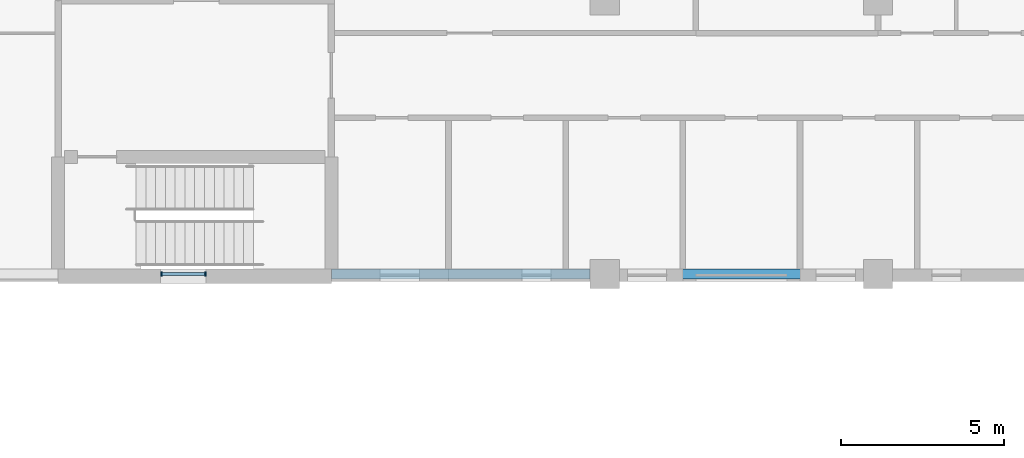
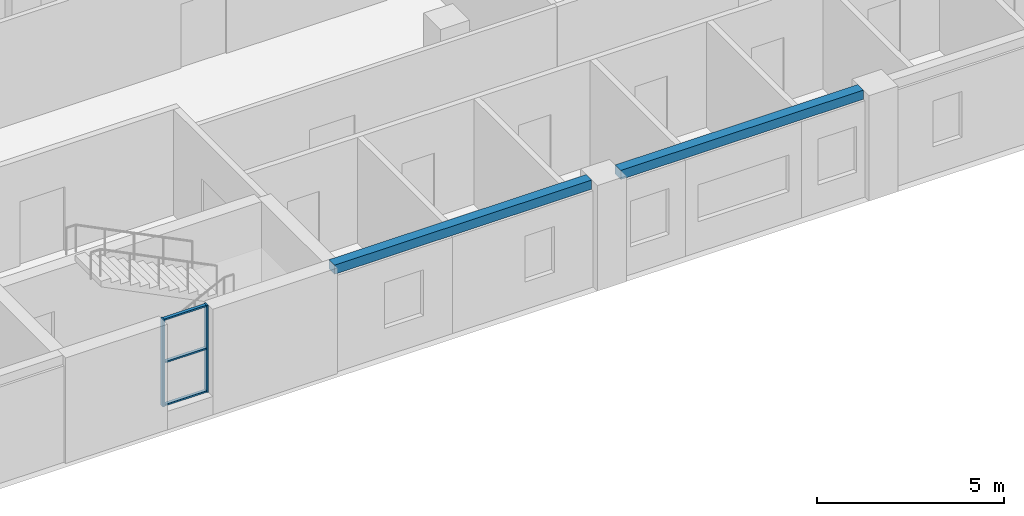
# One storey, part 16 of 94: 5 members, 2 beams, 1 element without a shape of its own.
"""IFC4 building model written with IfcOpenShell, lengths in metres."""

import ifcopenshell
import ifcopenshell.guid

model = None  # the IFC model being written
_history = None  # IfcOwnerHistory: only IFC2X3 demands one
_inside = {}  # id of a spatial element -> (the spatial element, [elements in it])
_under = {}  # id of a project, library or spatial element -> (it, [spatial elements below it])
_declared = {}  # id of a project -> (the project, [libraries it declares])
_typed = {}  # id of a type object -> (the type object, [elements of that type])
_made_of = {}  # id of a material, layer set ... -> (it, [elements and type objects made of it])


def new_model(schema):
    """Start an empty IFC model of exactly this schema.

    Asked for "IFC4X3", IfcOpenShell would pick the latest addendum, in which some entities
    have other attributes; the version numbers below select the first issue.
    IFC2X3 requires an IfcOwnerHistory on every rooted entity: one is made here for all.
    """
    global model, _history
    if schema == "IFC4X3":
        model = ifcopenshell.file(schema_version=(4, 3, 0, 0))
    else:
        model = ifcopenshell.file(schema=schema)
    _inside.clear()
    _under.clear()
    _declared.clear()
    _typed.clear()
    _made_of.clear()
    _history = None
    if model.schema == "IFC2X3":
        org = make("IfcOrganization", Name="unknown")
        user = make(
            "IfcPersonAndOrganization",
            ThePerson=make("IfcPerson", FamilyName="unknown"),
            TheOrganization=org,
        )
        app = make(
            "IfcApplication",
            ApplicationDeveloper=org,
            Version="unknown",
            ApplicationFullName="unknown",
            ApplicationIdentifier="unknown",
        )
        _history = make(
            "IfcOwnerHistory",
            OwningUser=user,
            OwningApplication=app,
            ChangeAction="ADDED",
            CreationDate=0,
        )
    return model


def make(cls, **values):
    """One entity of the class cls with the attributes given. An attribute that is None is left unset."""
    return model.create_entity(
        cls, **{name: value for name, value in values.items() if value is not None}
    )


def rooted(cls, **values):
    """An entity with a GlobalId (a new one), such as an element, a storey or a relation."""
    return make(cls, GlobalId=ifcopenshell.guid.new(), OwnerHistory=_history, **values)


def si_unit(unit_type, name, prefix=None):
    """IfcSIUnit, for example si_unit("LENGTHUNIT", "METRE", prefix="MILLI")."""
    return make("IfcSIUnit", UnitType=unit_type, Prefix=prefix, Name=name)


def assignment(units):
    """IfcUnitAssignment: the units of a project."""
    return None if units is None else make("IfcUnitAssignment", Units=units)


def point(xyz):
    """IfcCartesianPoint."""
    return None if xyz is None else make("IfcCartesianPoint", Coordinates=xyz)


def direction(xyz):
    """IfcDirection."""
    return None if xyz is None else make("IfcDirection", DirectionRatios=xyz)


def frame(location, z_axis=None, x_axis=None):
    """IfcAxis2Placement3D, a coordinate frame: its origin and axes. An axis left out is left unset."""
    return make(
        "IfcAxis2Placement3D",
        Location=point(location),
        Axis=direction(z_axis),
        RefDirection=direction(x_axis),
    )


def frame_2d(location, x_axis=None):
    """IfcAxis2Placement2D, a coordinate frame in the plane: its origin and x axis."""
    return make(
        "IfcAxis2Placement2D", Location=point(location), RefDirection=direction(x_axis)
    )


def origin():
    """The frame at (0, 0, 0) with its axes left unset."""
    return frame((0.0, 0.0, 0.0))


def origin_2d():
    """The frame at (0, 0) in the plane with its x axis left unset."""
    return frame_2d((0.0, 0.0))


def place(relative_to, where):
    """IfcLocalPlacement: puts the frame where relative to a parent placement (None: the world)."""
    return make(
        "IfcLocalPlacement", PlacementRelTo=relative_to, RelativePlacement=where
    )


def context(
    kind, dimensions, precision=None, world=None, true_north=None, identifier=None
):
    """IfcGeometricRepresentationContext, for example the 3D "Model" context."""
    return make(
        "IfcGeometricRepresentationContext",
        ContextIdentifier=identifier,
        ContextType=kind,
        CoordinateSpaceDimension=dimensions,
        Precision=precision,
        WorldCoordinateSystem=world,
        TrueNorth=true_north,
    )


def subcontext(parent, identifier, kind, view, scale=None):
    """IfcGeometricRepresentationSubContext, for example "Body" below "Model"."""
    return make(
        "IfcGeometricRepresentationSubContext",
        ContextIdentifier=identifier,
        ContextType=kind,
        ParentContext=parent,
        TargetScale=scale,
        TargetView=view,
    )


def project(units=None, contexts=None):
    """IfcProject with its units and contexts."""
    return rooted(
        "IfcProject",
        Name="project",
        RepresentationContexts=contexts,
        UnitsInContext=assignment(units),
    )


def spatial(cls, under=None, at=None, **own):
    """A site, building, storey or space (cls), placed at a placement, below another one or the project."""
    s = rooted(cls, ObjectPlacement=at, **own)
    if under is not None:
        _under.setdefault(under.id(), (under, []))[1].append(s)
    return s


def profile(cls, at=None, kind="AREA", **sizes):
    """A parametric profile (cls). Its sizes go by their IFC names, for example OverallWidth=200.0."""
    return make(cls, ProfileType=kind, Position=at, **sizes)


def rectangle(**sizes):
    """IfcRectangleProfileDef."""
    return profile("IfcRectangleProfileDef", **sizes)


def extrude(swept, where, along, depth):
    """IfcExtrudedAreaSolid: the profile swept, set in the frame where, extruded along a direction by depth."""
    return make(
        "IfcExtrudedAreaSolid",
        SweptArea=swept,
        Position=where,
        ExtrudedDirection=direction(along),
        Depth=depth,
    )


def shape(context_of_items, identifier, shape_type, items):
    """IfcShapeRepresentation: the items that make up one representation, for example the "Body"."""
    return make(
        "IfcShapeRepresentation",
        ContextOfItems=context_of_items,
        RepresentationIdentifier=identifier,
        RepresentationType=shape_type,
        Items=items,
    )


def material(Name=None, Category=None):
    """IfcMaterial."""
    return make("IfcMaterial", Name=Name, Category=Category)


def material_profile(
    of_material, cross_section, Name=None, Category=None, Priority=None
):
    """IfcMaterialProfile: a cross section and its material."""
    return make(
        "IfcMaterialProfile",
        Name=Name,
        Material=of_material,
        Profile=cross_section,
        Priority=Priority,
        Category=Category,
    )


def profile_set(profiles, Name=None, composite=None):
    """IfcMaterialProfileSet."""
    return make(
        "IfcMaterialProfileSet",
        Name=Name,
        MaterialProfiles=profiles,
        CompositeProfile=composite,
    )


def made_of(thing, what):
    """Note that an element or type object is made of a material, layer set ...; save() writes the relation."""
    if what is not None:
        _made_of.setdefault(what.id(), (what, []))[1].append(thing)
    return thing


def type_object(cls, material=None, **own):
    """A type object (cls), such as IfcWallType, which elements share."""
    return made_of(rooted(cls, **own), material)


def element(
    cls,
    number,
    at=None,
    inside=None,
    cuts=None,
    type_object=None,
    material=None,
    context=None,
    identifier="Body",
    shape_type=None,
    held_by="IfcProductDefinitionShape",
    body=None,
    shapes=None,
    **own,
):
    """One element of the class cls, such as IfcWall. Its Tag is "e" and its number.

    at: its placement. inside: the storey or other place that contains it. cuts: it is an
    opening in that element (IfcRelVoidsElement). A single representation is given by context,
    identifier, shape_type and body (its items); several are given by shapes. held_by: the class
    of the entity that holds the representations. save() writes the other relations.
    """
    e = rooted(cls, Tag="e%d" % number, ObjectPlacement=at, **own)
    if body is not None:
        shapes = [shape(context, identifier, shape_type, body)]
    if shapes is not None:
        e.Representation = make(held_by, Representations=shapes)
    if inside is not None:
        _inside.setdefault(inside.id(), (inside, []))[1].append(e)
    if cuts is not None:
        rooted(
            "IfcRelVoidsElement", RelatingBuildingElement=cuts, RelatedOpeningElement=e
        )
    if type_object is not None:
        _typed.setdefault(type_object.id(), (type_object, []))[1].append(e)
    return made_of(e, material)


def aggregate(whole, parts):
    """IfcRelAggregates: a whole, such as a stair, and the parts it consists of."""
    return rooted("IfcRelAggregates", RelatingObject=whole, RelatedObjects=parts)


def save(model, path):
    """Write the relations noted so far, then the file.

    IfcRelAggregates (storeys below a building ...), IfcRelContainedInSpatialStructure (elements
    in a storey), IfcRelDefinesByType, IfcRelAssociatesMaterial and IfcRelDeclares: one each for
    every whole, place, type object, material and project.
    """
    for whole, parts in _under.values():
        aggregate(whole, parts)
    for where, things in _inside.values():
        rooted(
            "IfcRelContainedInSpatialStructure",
            RelatedElements=things,
            RelatingStructure=where,
        )
    for kind, things in _typed.values():
        rooted("IfcRelDefinesByType", RelatedObjects=things, RelatingType=kind)
    for what, things in _made_of.values():
        rooted("IfcRelAssociatesMaterial", RelatedObjects=things, RelatingMaterial=what)
    for by, libraries in _declared.values():
        rooted("IfcRelDeclares", RelatingContext=by, RelatedDefinitions=libraries)
    model.write(path)


model = new_model("IFC4")

# Units and contexts
model_context = context("Model", 3, precision=1e-05, world=origin(), true_north=direction((0.0, 1.0)))
body_context = subcontext(model_context, "Body", "Model", "MODEL_VIEW")
ifc_project = project(units=[si_unit("LENGTHUNIT", "METRE"), si_unit("AREAUNIT", "SQUARE_METRE"), si_unit("VOLUMEUNIT", "CUBIC_METRE"), si_unit("PLANEANGLEUNIT", "RADIAN"), si_unit("MASSUNIT", "GRAM", prefix="KILO")], contexts=[model_context])

# Site, building, storey
site_placement = place(None, origin())
site = spatial("IfcSite", under=ifc_project, at=site_placement, CompositionType="ELEMENT")
building_placement = place(site_placement, origin())
building = spatial("IfcBuilding", under=site, at=building_placement, Name="Yavir Park General Hospital", CompositionType="ELEMENT")
storey_placement = place(building_placement, frame((0.0, 0.0, 4.5)))
storey = spatial("IfcBuildingStorey", under=building, at=storey_placement, Name="L01", CompositionType="ELEMENT", Elevation=4.5)

# Beams
ifc_material_1 = material(Name="Concrete C35/45", Category="concrete")
ifc_material_profile_1 = material_profile(ifc_material_1, rectangle(XDim=0.300048828125, YDim=0.300048828125, at=origin_2d()), Name="RC300x300")
ifc_profile_set_1 = profile_set([ifc_material_profile_1], Name="Concrete C35/45")
beam_type = type_object("IfcBeamType", Name="RC BEAM 300x300 edge beam", PredefinedType="BEAM", material=ifc_profile_set_1)
beam_1_placement = place(storey_placement, frame((42.0, 0.0, 3.300048828125), z_axis=(1.0, 0.0, 0.0), x_axis=(0.0, 1.0, 0.0)))
element("IfcBeam", 1, at=beam_1_placement, inside=storey, type_object=beam_type, Name="B:EDGE:L01:005", PredefinedType="BEAM", context=body_context, shape_type="SweptSolid", body=[
    extrude(rectangle(XDim=0.300048828125, YDim=0.300048828125, at=origin_2d()), origin(), (0.0, 0.0, 1.0), 7.949951171875),
])
beam_2_placement = place(storey_placement, frame((50.85009765625, 0.0, 3.300048828125), z_axis=(1.0, 0.0, 0.0), x_axis=(0.0, 1.0, 0.0)))
element("IfcBeam", 2, at=beam_2_placement, inside=storey, type_object=beam_type, Name="B:EDGE:L01:006", PredefinedType="BEAM", context=body_context, shape_type="SweptSolid", body=[
    extrude(rectangle(XDim=0.300048828125, YDim=0.300048828125, at=origin_2d()), origin(), (0.0, 0.0, 1.0), 7.5),
])

# Curtain wall, members
ifc_material_2 = material(Name="Aluminium curtain wall frame with insulated glazing", Category="aluminium")
curtain_wall_type = type_object("IfcCurtainWallType", Name="Stair light slot, podium, 2850 high, 1400 module", PredefinedType="NOTDEFINED", material=ifc_material_2)
curtain_wall_placement = place(storey_placement, origin())
curtain_wall = element("IfcCurtainWall", 3, at=curtain_wall_placement, inside=storey, type_object=curtain_wall_type, Name="CW9 L01-001", PredefinedType="NOTDEFINED")
ifc_material_3 = material(Name="Aluminium", Category="aluminium")
ifc_material_profile_2 = material_profile(ifc_material_3, rectangle(XDim=0.139892578125, YDim=0.050048828125, at=origin_2d()), Name="AL 50x140")
ifc_profile_set_2 = profile_set([ifc_material_profile_2], Name="Aluminium")
member_type_1 = type_object("IfcMemberType", Name="Stair light slot, podium, 2850 high mullion 50 x 140", PredefinedType="MULLION", material=ifc_profile_set_2)
member_1_placement = place(storey_placement, frame((36.77490234375, 0.0, 0.60009765625), z_axis=(0.0, 0.0, 1.0), x_axis=(0.0, 1.0, 0.0)))
member_1 = element("IfcMember", 4, at=member_1_placement, type_object=member_type_1, Name="CW9 mullion 1", PredefinedType="MULLION", context=body_context, shape_type="SweptSolid", body=[
    extrude(rectangle(XDim=0.139892578125, YDim=0.050048828125, at=origin_2d()), origin(), (0.0, 0.0, 1.0), 2.849853515625),
])
member_2_placement = place(storey_placement, frame((38.125, 0.0, 0.60009765625), z_axis=(0.0, 0.0, 1.0), x_axis=(0.0, 1.0, 0.0)))
member_2 = element("IfcMember", 5, at=member_2_placement, type_object=member_type_1, Name="CW9 mullion 2", PredefinedType="MULLION", context=body_context, shape_type="SweptSolid", body=[
    extrude(rectangle(XDim=0.139892578125, YDim=0.050048828125, at=origin_2d()), origin(), (0.0, 0.0, 1.0), 2.849853515625),
])
ifc_material_4 = material(Name="Aluminium", Category="aluminium")
ifc_material_profile_3 = material_profile(ifc_material_4, rectangle(XDim=0.10009765625, YDim=0.050048828125, at=origin_2d()), Name="AL 100x50")
ifc_profile_set_3 = profile_set([ifc_material_profile_3], Name="Aluminium")
member_type_2 = type_object("IfcMemberType", Name="Stair light slot, podium, 2850 high transom 50 x 100", PredefinedType="MULLION", material=ifc_profile_set_3)
member_3_placement = place(storey_placement, frame((36.800048828125, 0.0, 0.625), z_axis=(1.0, 0.0, 0.0), x_axis=(0.0, 1.0, 0.0)))
member_3 = element("IfcMember", 6, at=member_3_placement, type_object=member_type_2, Name="CW9 transom 1.1", PredefinedType="MULLION", context=body_context, shape_type="SweptSolid", body=[
    extrude(rectangle(XDim=0.10009765625, YDim=0.050048828125, at=origin_2d()), origin(), (0.0, 0.0, 1.0), 1.300048828125),
])
member_4_placement = place(storey_placement, frame((36.800048828125, 0.0, 2.02490234375), z_axis=(1.0, 0.0, 0.0), x_axis=(0.0, 1.0, 0.0)))
member_4 = element("IfcMember", 7, at=member_4_placement, type_object=member_type_2, Name="CW9 transom 1.2", PredefinedType="MULLION", context=body_context, shape_type="SweptSolid", body=[
    extrude(rectangle(XDim=0.10009765625, YDim=0.050048828125, at=origin_2d()), origin(), (0.0, 0.0, 1.0), 1.300048828125),
])
member_5_placement = place(storey_placement, frame((36.800048828125, 0.0, 3.425048828125), z_axis=(1.0, 0.0, 0.0), x_axis=(0.0, 1.0, 0.0)))
member_5 = element("IfcMember", 8, at=member_5_placement, type_object=member_type_2, Name="CW9 transom 1.3", PredefinedType="MULLION", context=body_context, shape_type="SweptSolid", body=[
    extrude(rectangle(XDim=0.10009765625, YDim=0.050048828125, at=origin_2d()), origin(), (0.0, 0.0, 1.0), 1.300048828125),
])
aggregate(curtain_wall, [member_1, member_2, member_3, member_4, member_5])

save(model, "model.ifc")
